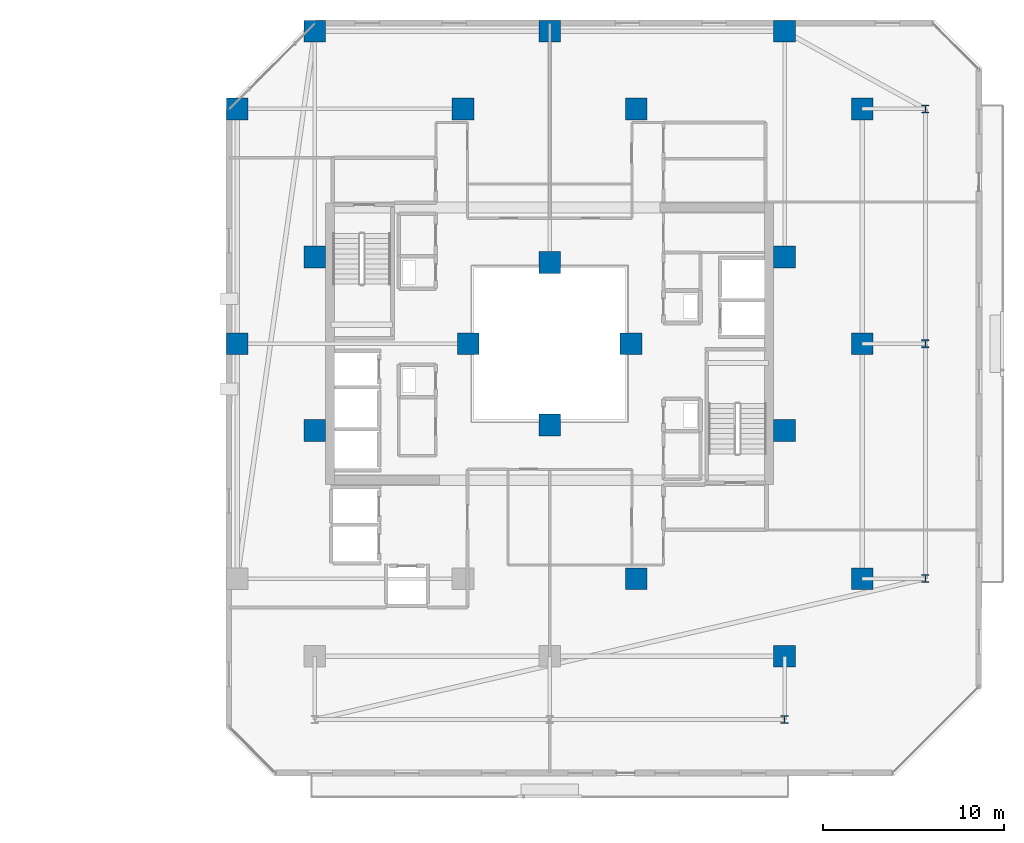
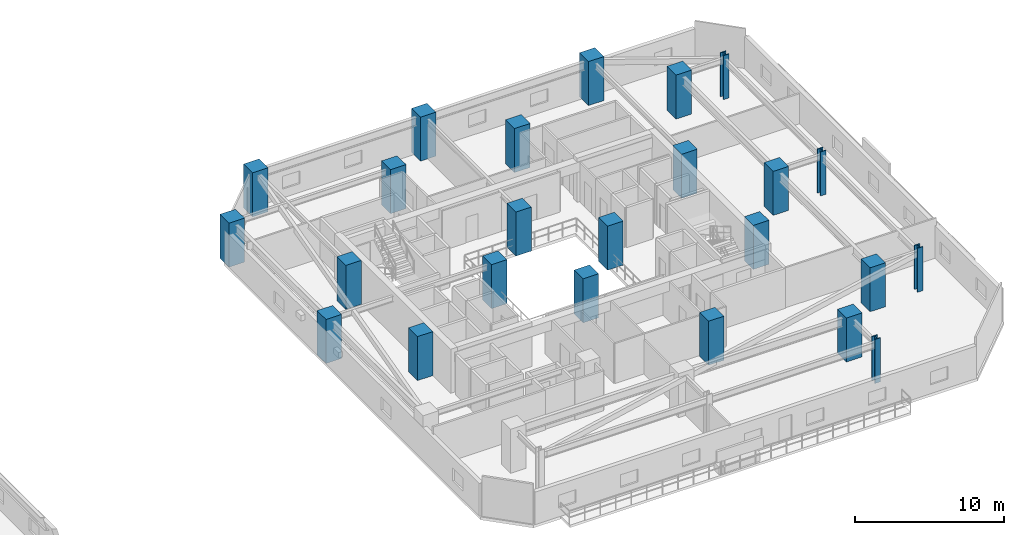
# One storey, part 2 of 34: 24 columns.
"""IFC4 building model written with IfcOpenShell, lengths in metres."""

from ifc_helpers import new_model, si_unit, direction, frame, origin, origin_2d, place, context, subcontext, project, spatial, rectangle, i_section, extrude, material, material_profile, profile_set, type_object, element, save


model = new_model("IFC4")

# Units and contexts
model_context = context("Model", 3, precision=1e-05, world=origin(), true_north=direction((0.0, 1.0)))
body_context = subcontext(model_context, "Body", "Model", "MODEL_VIEW")
ifc_project = project(units=[si_unit("LENGTHUNIT", "METRE"), si_unit("AREAUNIT", "SQUARE_METRE"), si_unit("VOLUMEUNIT", "CUBIC_METRE"), si_unit("PLANEANGLEUNIT", "RADIAN"), si_unit("MASSUNIT", "GRAM", prefix="KILO")], contexts=[model_context])

# Site, building, storey
site_placement = place(None, origin())
site = spatial("IfcSite", under=ifc_project, at=site_placement, CompositionType="ELEMENT")
building_placement = place(site_placement, origin())
building = spatial("IfcBuilding", under=site, at=building_placement, Name="Thornwick Lancets Civic Towers", CompositionType="ELEMENT")
storey_placement = place(building_placement, frame((0.0, 0.0, 137.699951171875)))
storey = spatial("IfcBuildingStorey", under=building, at=storey_placement, Name="L36", CompositionType="ELEMENT", Elevation=137.699951171875)

# Columns
ifc_material_1 = material(Name="Concrete C60/75", Category="concrete")
ifc_material_profile_1 = material_profile(ifc_material_1, rectangle(XDim=1.199951171875, YDim=1.199951171875, at=origin_2d()), Name="RC 1200x1200")
ifc_profile_set_1 = profile_set([ifc_material_profile_1], Name="Concrete C60/75")
column_type_1 = type_object("IfcColumnType", Name="COL_RC_1200", PredefinedType="COLUMN", material=ifc_profile_set_1)
for number, where, z_axis, x_axis, name in (
    (1, (105.800048828125, 14.0, 0.0), (0.0, 0.0, 1.0), (1.0, 0.0, 0.0), "L36 Spine Mega-Column B01"),
    (2, (105.800048828125, 27.0, 0.0), (0.0, 0.0, 1.0), (1.0, 0.0, 0.0), "L36 Spine Mega-Column B02"),
    (3, (105.800048828125, 40.0, 0.0), (0.0, 0.0, 1.0), (1.0, 0.0, 0.0), "L36 Spine Mega-Column B03"),
    (4, (101.5, 44.300048828125, 0.0), (0.0, 0.0, 1.0), (1.0, 0.0, 0.0), "L36 Spine Mega-Column B04"),
    (5, (88.5, 44.300048828125, 0.0), (0.0, 0.0, 1.0), (1.0, 0.0, 0.0), "L36 Spine Mega-Column B05"),
    (6, (75.5, 44.300048828125, 0.0), (0.0, 0.0, 1.0), (1.0, 0.0, 0.0), "L36 Spine Mega-Column B06"),
    (7, (71.199951171875, 27.0, 0.0), (0.0, 0.0, 1.0), (1.0, 0.0, 0.0), "L36 Spine Mega-Column B08"),
    (8, (71.199951171875, 40.0, 0.0), (0.0, 0.0, 1.0), (1.0, 0.0, 0.0), "L36 Spine Mega-Column B09"),
    (9, (101.5, 9.699951171875, 0.0), (0.0, 0.0, 1.0), (1.0, 0.0, 0.0), "L36 Spine Mega-Column B10"),
    (10, (93.300048828125, 14.0, 0.0), (0.0, 0.0, 1.0), (1.0, 0.0, 0.0), "L36 Spine Mega-Column B13"),
    (11, (93.300048828125, 40.0, 0.0), (0.0, 0.0, 1.0), (1.0, 0.0, 0.0), "L36 Spine Mega-Column B14"),
    (12, (83.699951171875, 40.0, 0.0), (0.0, 0.0, 1.0), (1.0, 0.0, 0.0), "L36 Spine Mega-Column B16"),
    (13, (101.5, 22.199951171875, 0.0), (0.0, 0.0, 1.0), (1.0, 0.0, 0.0), "L36 Spine Mega-Column B17"),
    (14, (101.5, 31.800048828125, 0.0), (0.0, 0.0, 1.0), (1.0, 0.0, 0.0), "L36 Spine Mega-Column B18"),
    (15, (75.5, 22.199951171875, 0.0), (0.0, 0.0, 1.0), (1.0, 0.0, 0.0), "L36 Spine Mega-Column B19"),
    (16, (75.5, 31.800048828125, 0.0), (0.0, 0.0, 1.0), (1.0, 0.0, 0.0), "L36 Spine Mega-Column B20"),
    (17, (93.0, 27.0, 0.0), (0.0, 0.0, 1.0), (1.0, 0.0, 0.0), "L36 Spine Mega-Column B21"),
    (18, (84.0, 27.0, 0.0), (0.0, 0.0, 1.0), (1.0, 0.0, 0.0), "L36 Spine Mega-Column B22"),
    (19, (88.5, 22.5, 0.0), (0.0, 0.0, 1.0), (1.0, 0.0, 0.0), "L36 Spine Mega-Column B23"),
    (20, (88.5, 31.5, 0.0), (0.0, 0.0, 1.0), (1.0, 0.0, 0.0), "L36 Spine Mega-Column B24"),
):
    element("IfcColumn", number, at=place(storey_placement, frame(where, z_axis=z_axis, x_axis=x_axis)), inside=storey, type_object=column_type_1, Name=name, PredefinedType="COLUMN", context=body_context, shape_type="SweptSolid", body=[
        extrude(rectangle(XDim=1.199951171875, YDim=1.199951171875, at=origin_2d()), origin(), (0.0, 0.0, 1.0), 3.60009765625),
    ])
ifc_material_2 = material(Name="Steel S460M", Category="steel")
ifc_material_profile_2 = material_profile(ifc_material_2, i_section(OverallWidth=0.41845703125, OverallDepth=0.45556640625, WebThickness=0.0419921875, FlangeThickness=0.0673828125, FilletRadius=0.01513671875, at=origin_2d()), Name="UKC 356x406x551")
ifc_profile_set_2 = profile_set([ifc_material_profile_2], Name="Steel S460M")
column_type_2 = type_object("IfcColumnType", Name="COL_UKC_551", PredefinedType="COLUMN", material=ifc_profile_set_2)
for number, where, z_axis, x_axis, name in (
    (21, (109.300048828125, 14.0, 0.0), (0.0, 0.0, 1.0), (1.0, 0.0, 0.0), "L36 Block Perimeter Column B01"),
    (22, (109.300048828125, 27.0, 0.0), (0.0, 0.0, 1.0), (1.0, 0.0, 0.0), "L36 Block Perimeter Column B02"),
    (23, (109.300048828125, 40.0, 0.0), (0.0, 0.0, 1.0), (1.0, 0.0, 0.0), "L36 Block Perimeter Column B03"),
    (24, (101.5, 6.199951171875, 0.0), (0.0, 0.0, 1.0), (1.0, 0.0, 0.0), "L36 Block Perimeter Column B10"),
):
    element("IfcColumn", number, at=place(storey_placement, frame(where, z_axis=z_axis, x_axis=x_axis)), inside=storey, type_object=column_type_2, Name=name, PredefinedType="COLUMN", context=body_context, shape_type="SweptSolid", body=[
        extrude(i_section(OverallWidth=0.41845703125, OverallDepth=0.45556640625, WebThickness=0.0419921875, FlangeThickness=0.0673828125, FilletRadius=0.01513671875, at=origin_2d()), origin(), (0.0, 0.0, 1.0), 3.60009765625),
    ])

save(model, "model.ifc")
